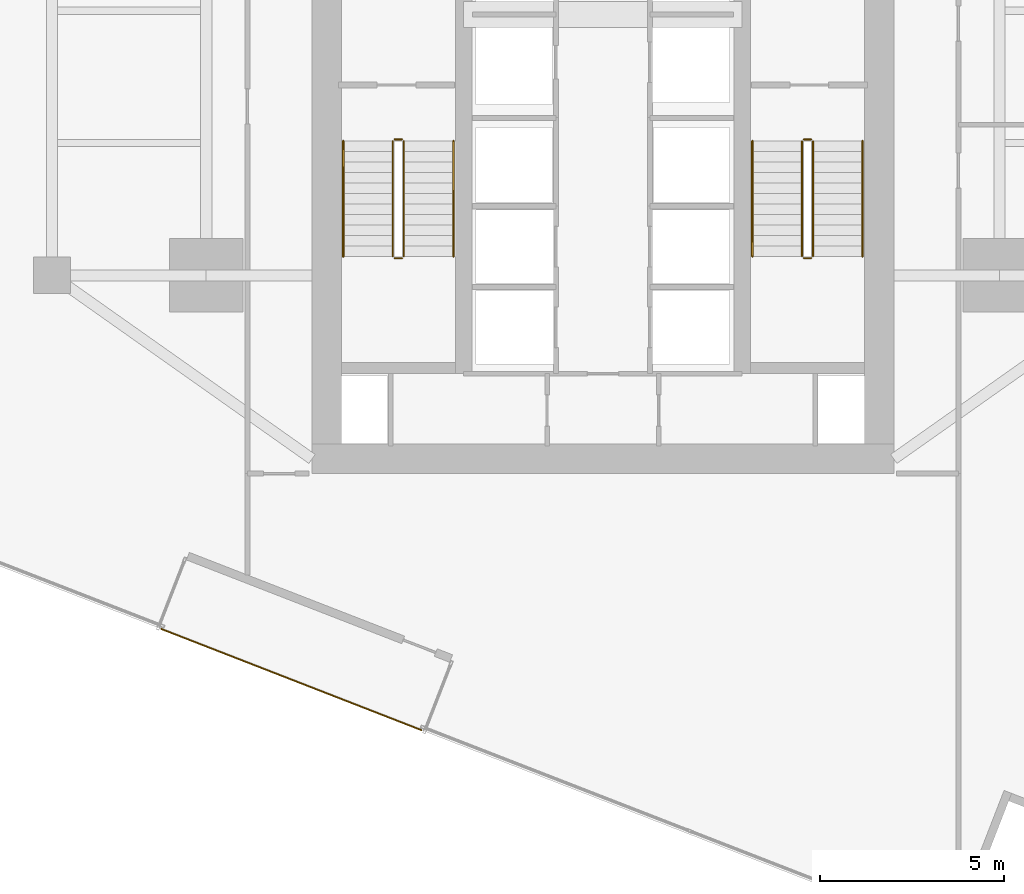
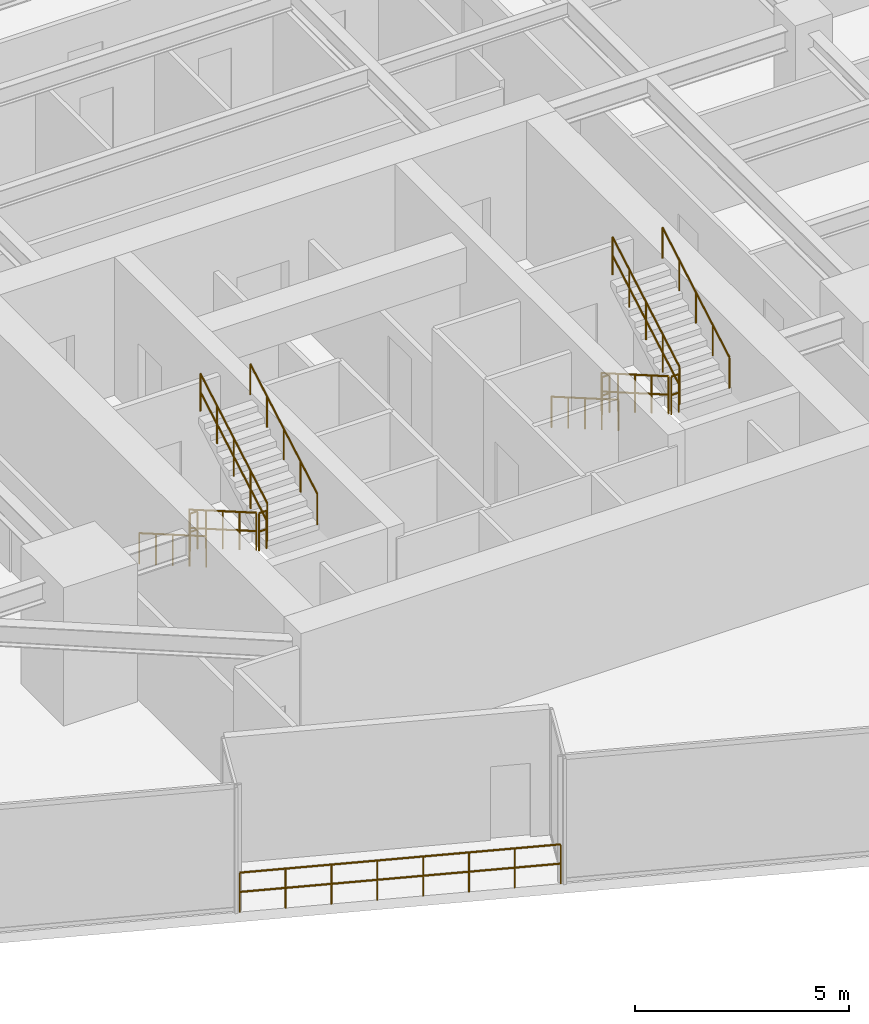
# One storey, part 25 of 26: 13 railings.
"""IFC4 building model written with IfcOpenShell, lengths in metres."""

from ifc_helpers import new_model, si_unit, direction, frame, origin, origin_2d, place, context, subcontext, project, spatial, circle, extrude, material, layer, layer_set, type_object, element, save


model = new_model("IFC4")

# Units and contexts
model_context = context("Model", 3, precision=1e-05, world=origin(), true_north=direction((0.0, 1.0)))
body_context = subcontext(model_context, "Body", "Model", "MODEL_VIEW")
ifc_project = project(units=[si_unit("LENGTHUNIT", "METRE"), si_unit("AREAUNIT", "SQUARE_METRE"), si_unit("VOLUMEUNIT", "CUBIC_METRE"), si_unit("PLANEANGLEUNIT", "RADIAN"), si_unit("MASSUNIT", "GRAM", prefix="KILO")], contexts=[model_context])

# Site, building, storey
site_placement = place(None, origin())
site = spatial("IfcSite", under=ifc_project, at=site_placement, CompositionType="ELEMENT")
building_placement = place(site_placement, origin())
building = spatial("IfcBuilding", under=site, at=building_placement, Name="Krantzveldt Concourse Tower", CompositionType="ELEMENT")
storey_placement = place(building_placement, frame((0.0, 0.0, 137.449951171875)))
storey = spatial("IfcBuildingStorey", under=building, at=storey_placement, Name="L33", CompositionType="ELEMENT", Elevation=137.449951171875)

# Railings
ifc_material = material(Name="Stainless steel 316L", Category="steel")
ifc_layer_1 = layer(ifc_material, 0.080078125, Name="Stainless steel 316L", Category="steel")
ifc_layer_set_1 = layer_set([ifc_layer_1], Name="Stainless steel 316L (RL-BALUSTRADE-1150)")
railing_type_1 = type_object("IfcRailingType", Name="RL-BALUSTRADE-1150", PredefinedType="BALUSTRADE", material=ifc_layer_set_1)
railing_1_placement = place(storey_placement, frame((31.060546875, 3.513671875, 0.0)))
element("IfcRailing", 1, at=railing_1_placement, inside=storey, type_object=railing_type_1, Name="GD-L33-CTER-01", PredefinedType="BALUSTRADE", context=body_context, shape_type="SweptSolid", body=[
    extrude(circle(Radius=0.02392578125, at=origin_2d()), frame((0.0, 0.0, 1.1259765625), z_axis=(-0.932002862961, 0.362450911756, 0.0), x_axis=(-0.362450911756, -0.932002862961, 0.0)), (0.0, 0.0, 1.0), 7.60009765625),
    extrude(circle(Radius=0.02392578125, at=origin_2d()), frame((0.0, 0.0, 0.574951171875), z_axis=(-0.932002862961, 0.362450911756, 0.0), x_axis=(-0.362450911756, -0.932002862961, 0.0)), (0.0, 0.0, 1.0), 7.60009765625),
    extrude(circle(Radius=0.02099609375, at=origin_2d()), origin(), (0.0, 0.0, 1.0), 1.101806640625),
    extrude(circle(Radius=0.02099609375, at=origin_2d()), frame((-1.011962890625, 0.3935546875, 0.0)), (0.0, 0.0, 1.0), 1.101806640625),
    extrude(circle(Radius=0.02099609375, at=origin_2d()), frame((-2.023681640625, 0.787109375, 0.0)), (0.0, 0.0, 1.0), 1.101806640625),
    extrude(circle(Radius=0.02099609375, at=origin_2d()), frame((-3.03564453125, 1.1806640625, 0.0)), (0.0, 0.0, 1.0), 1.101806640625),
    extrude(circle(Radius=0.02099609375, at=origin_2d()), frame((-4.047607421875, 1.573974609375, 0.0)), (0.0, 0.0, 1.0), 1.101806640625),
    extrude(circle(Radius=0.02099609375, at=origin_2d()), frame((-5.0595703125, 1.967529296875, 0.0)), (0.0, 0.0, 1.0), 1.101806640625),
    extrude(circle(Radius=0.02099609375, at=origin_2d()), frame((-6.0712890625, 2.361083984375, 0.0)), (0.0, 0.0, 1.0), 1.101806640625),
    extrude(circle(Radius=0.02099609375, at=origin_2d()), frame((-7.083251953125, 2.754638671875, 0.0)), (0.0, 0.0, 1.0), 1.101806640625),
])
ifc_layer_2 = layer(ifc_material, 0.06005859375, Name="Stainless steel 316L", Category="steel")
ifc_layer_set_2 = layer_set([ifc_layer_2], Name="Stainless steel 316L (RL-GUARD-1120)")
railing_type_2 = type_object("IfcRailingType", Name="RL-GUARD-1120", PredefinedType="GUARDRAIL", material=ifc_layer_set_2)
railing_2_placement = place(storey_placement, frame((30.280029296875, 19.550048828125, 0.16455078125)))
element("IfcRailing", 2, at=railing_2_placement, inside=storey, type_object=railing_type_2, Name="L33 ST-1 stair guard 1", PredefinedType="GUARDRAIL", context=body_context, shape_type="SweptSolid", body=[
    extrude(circle(Radius=0.02392578125, at=origin_2d()), frame((0.0, 0.0, 1.076171875), z_axis=(0.0, -0.865959834175, 0.500113552702), x_axis=(1.0, 0.0, 0.0)), (0.0, 0.0, 1.0), 3.620361328125),
    extrude(circle(Radius=0.02392578125, at=origin_2d()), frame((0.0, 0.0, 0.550048828125), z_axis=(0.0, -0.865959834175, 0.500113552702), x_axis=(1.0, 0.0, 0.0)), (0.0, 0.0, 1.0), 3.620361328125),
    extrude(circle(Radius=0.02099609375, at=origin_2d()), origin(), (0.0, 0.0, 1.0), 1.052001953125),
    extrude(circle(Radius=0.02099609375, at=origin_2d()), frame((0.0, -0.78369140625, 0.45263671875)), (0.0, 0.0, 1.0), 1.052001953125),
    extrude(circle(Radius=0.02099609375, at=origin_2d()), frame((0.0, -1.5673828125, 0.9052734375)), (0.0, 0.0, 1.0), 1.052001953125),
    extrude(circle(Radius=0.02099609375, at=origin_2d()), frame((0.0, -2.351318359375, 1.35791015625)), (0.0, 0.0, 1.0), 1.052001953125),
    extrude(circle(Radius=0.02099609375, at=origin_2d()), frame((0.0, -3.135009765625, 1.810546875)), (0.0, 0.0, 1.0), 1.052001953125),
])
railing_3_placement = place(storey_placement, frame((30.330078125, 16.364990234375, 1.97509765625)))
element("IfcRailing", 3, at=railing_3_placement, inside=storey, type_object=railing_type_2, Name="L33 ST-1 stair guard 2", PredefinedType="GUARDRAIL", context=body_context, shape_type="SweptSolid", body=[
    extrude(circle(Radius=0.02392578125, at=origin_2d()), frame((0.0, 0.0, 1.076171875), z_axis=(1.0, 0.0, 0.0), x_axis=(0.0, 1.0, 0.0)), (0.0, 0.0, 1.0), 0.199951171875),
    extrude(circle(Radius=0.02392578125, at=origin_2d()), frame((0.0, 0.0, 0.550048828125), z_axis=(1.0, 0.0, 0.0), x_axis=(0.0, 1.0, 0.0)), (0.0, 0.0, 1.0), 0.199951171875),
    extrude(circle(Radius=0.02099609375, at=origin_2d()), origin(), (0.0, 0.0, 1.0), 1.052001953125),
    extrude(circle(Radius=0.02099609375, at=origin_2d()), frame((0.199951171875, 0.0, 0.0)), (0.0, 0.0, 1.0), 1.052001953125),
])
railing_4_placement = place(storey_placement, frame((30.580078125, 16.4150390625, 2.1396484375)))
element("IfcRailing", 4, at=railing_4_placement, inside=storey, type_object=railing_type_2, Name="L33 ST-1 stair guard 3", PredefinedType="GUARDRAIL", context=body_context, shape_type="SweptSolid", body=[
    extrude(circle(Radius=0.02392578125, at=origin_2d()), frame((0.0, 0.0, 1.076171875), z_axis=(0.0, 0.865989039225, 0.500062979975), x_axis=(-1.0, 0.0, 0.0)), (0.0, 0.0, 1.0), 3.6201171875),
    extrude(circle(Radius=0.02392578125, at=origin_2d()), frame((0.0, 0.0, 0.550048828125), z_axis=(0.0, 0.865989039225, 0.500062979975), x_axis=(-1.0, 0.0, 0.0)), (0.0, 0.0, 1.0), 3.6201171875),
    extrude(circle(Radius=0.02099609375, at=origin_2d()), origin(), (0.0, 0.0, 1.0), 1.052001953125),
    extrude(circle(Radius=0.02099609375, at=origin_2d()), frame((0.0, 0.78369140625, 0.45263671875)), (0.0, 0.0, 1.0), 1.052001953125),
    extrude(circle(Radius=0.02099609375, at=origin_2d()), frame((0.0, 1.5673828125, 0.9052734375)), (0.0, 0.0, 1.0), 1.052001953125),
    extrude(circle(Radius=0.02099609375, at=origin_2d()), frame((0.0, 2.351318359375, 1.357666015625)), (0.0, 0.0, 1.0), 1.052001953125),
    extrude(circle(Radius=0.02099609375, at=origin_2d()), frame((0.0, 3.135009765625, 1.810302734375)), (0.0, 0.0, 1.0), 1.052001953125),
])
railing_5_placement = place(storey_placement, frame((30.330078125, 19.60009765625, 0.0)))
element("IfcRailing", 5, at=railing_5_placement, inside=storey, type_object=railing_type_2, Name="L33 ST-1 stair guard 4", PredefinedType="GUARDRAIL", context=body_context, shape_type="SweptSolid", body=[
    extrude(circle(Radius=0.02392578125, at=origin_2d()), frame((0.0, 0.0, 1.076171875), z_axis=(1.0, 0.0, 0.0), x_axis=(0.0, 1.0, 0.0)), (0.0, 0.0, 1.0), 0.199951171875),
    extrude(circle(Radius=0.02392578125, at=origin_2d()), frame((0.0, 0.0, 0.550048828125), z_axis=(1.0, 0.0, 0.0), x_axis=(0.0, 1.0, 0.0)), (0.0, 0.0, 1.0), 0.199951171875),
    extrude(circle(Radius=0.02099609375, at=origin_2d()), origin(), (0.0, 0.0, 1.0), 1.052001953125),
    extrude(circle(Radius=0.02099609375, at=origin_2d()), frame((0.199951171875, 0.0, 0.0)), (0.0, 0.0, 1.0), 1.052001953125),
])
railing_6_placement = place(storey_placement, frame((41.419921875, 19.550048828125, 0.16455078125)))
element("IfcRailing", 6, at=railing_6_placement, inside=storey, type_object=railing_type_2, Name="L33 ST-2 stair guard 1", PredefinedType="GUARDRAIL", context=body_context, shape_type="SweptSolid", body=[
    extrude(circle(Radius=0.02392578125, at=origin_2d()), frame((0.0, 0.0, 1.076171875), z_axis=(0.0, -0.865959834175, 0.500113552702), x_axis=(1.0, 0.0, 0.0)), (0.0, 0.0, 1.0), 3.620361328125),
    extrude(circle(Radius=0.02392578125, at=origin_2d()), frame((0.0, 0.0, 0.550048828125), z_axis=(0.0, -0.865959834175, 0.500113552702), x_axis=(1.0, 0.0, 0.0)), (0.0, 0.0, 1.0), 3.620361328125),
    extrude(circle(Radius=0.02099609375, at=origin_2d()), origin(), (0.0, 0.0, 1.0), 1.052001953125),
    extrude(circle(Radius=0.02099609375, at=origin_2d()), frame((0.0, -0.78369140625, 0.45263671875)), (0.0, 0.0, 1.0), 1.052001953125),
    extrude(circle(Radius=0.02099609375, at=origin_2d()), frame((0.0, -1.5673828125, 0.9052734375)), (0.0, 0.0, 1.0), 1.052001953125),
    extrude(circle(Radius=0.02099609375, at=origin_2d()), frame((0.0, -2.351318359375, 1.35791015625)), (0.0, 0.0, 1.0), 1.052001953125),
    extrude(circle(Radius=0.02099609375, at=origin_2d()), frame((0.0, -3.135009765625, 1.810546875)), (0.0, 0.0, 1.0), 1.052001953125),
])
railing_7_placement = place(storey_placement, frame((41.469970703125, 16.364990234375, 1.97509765625)))
element("IfcRailing", 7, at=railing_7_placement, inside=storey, type_object=railing_type_2, Name="L33 ST-2 stair guard 2", PredefinedType="GUARDRAIL", context=body_context, shape_type="SweptSolid", body=[
    extrude(circle(Radius=0.02392578125, at=origin_2d()), frame((0.0, 0.0, 1.076171875), z_axis=(1.0, 0.0, 0.0), x_axis=(0.0, 1.0, 0.0)), (0.0, 0.0, 1.0), 0.199951171875),
    extrude(circle(Radius=0.02392578125, at=origin_2d()), frame((0.0, 0.0, 0.550048828125), z_axis=(1.0, 0.0, 0.0), x_axis=(0.0, 1.0, 0.0)), (0.0, 0.0, 1.0), 0.199951171875),
    extrude(circle(Radius=0.02099609375, at=origin_2d()), origin(), (0.0, 0.0, 1.0), 1.052001953125),
    extrude(circle(Radius=0.02099609375, at=origin_2d()), frame((0.199951171875, 0.0, 0.0)), (0.0, 0.0, 1.0), 1.052001953125),
])
railing_8_placement = place(storey_placement, frame((41.719970703125, 16.4150390625, 2.1396484375)))
element("IfcRailing", 8, at=railing_8_placement, inside=storey, type_object=railing_type_2, Name="L33 ST-2 stair guard 3", PredefinedType="GUARDRAIL", context=body_context, shape_type="SweptSolid", body=[
    extrude(circle(Radius=0.02392578125, at=origin_2d()), frame((0.0, 0.0, 1.076171875), z_axis=(0.0, 0.865989039225, 0.500062979975), x_axis=(-1.0, 0.0, 0.0)), (0.0, 0.0, 1.0), 3.6201171875),
    extrude(circle(Radius=0.02392578125, at=origin_2d()), frame((0.0, 0.0, 0.550048828125), z_axis=(0.0, 0.865989039225, 0.500062979975), x_axis=(-1.0, 0.0, 0.0)), (0.0, 0.0, 1.0), 3.6201171875),
    extrude(circle(Radius=0.02099609375, at=origin_2d()), origin(), (0.0, 0.0, 1.0), 1.052001953125),
    extrude(circle(Radius=0.02099609375, at=origin_2d()), frame((0.0, 0.78369140625, 0.45263671875)), (0.0, 0.0, 1.0), 1.052001953125),
    extrude(circle(Radius=0.02099609375, at=origin_2d()), frame((0.0, 1.5673828125, 0.9052734375)), (0.0, 0.0, 1.0), 1.052001953125),
    extrude(circle(Radius=0.02099609375, at=origin_2d()), frame((0.0, 2.351318359375, 1.357666015625)), (0.0, 0.0, 1.0), 1.052001953125),
    extrude(circle(Radius=0.02099609375, at=origin_2d()), frame((0.0, 3.135009765625, 1.810302734375)), (0.0, 0.0, 1.0), 1.052001953125),
])
railing_9_placement = place(storey_placement, frame((41.469970703125, 19.60009765625, 0.0)))
element("IfcRailing", 9, at=railing_9_placement, inside=storey, type_object=railing_type_2, Name="L33 ST-2 stair guard 4", PredefinedType="GUARDRAIL", context=body_context, shape_type="SweptSolid", body=[
    extrude(circle(Radius=0.02392578125, at=origin_2d()), frame((0.0, 0.0, 1.076171875), z_axis=(1.0, 0.0, 0.0), x_axis=(0.0, 1.0, 0.0)), (0.0, 0.0, 1.0), 0.199951171875),
    extrude(circle(Radius=0.02392578125, at=origin_2d()), frame((0.0, 0.0, 0.550048828125), z_axis=(1.0, 0.0, 0.0), x_axis=(0.0, 1.0, 0.0)), (0.0, 0.0, 1.0), 0.199951171875),
    extrude(circle(Radius=0.02099609375, at=origin_2d()), origin(), (0.0, 0.0, 1.0), 1.052001953125),
    extrude(circle(Radius=0.02099609375, at=origin_2d()), frame((0.199951171875, 0.0, 0.0)), (0.0, 0.0, 1.0), 1.052001953125),
])
ifc_layer_3 = layer(ifc_material, 0.050048828125, Name="Stainless steel 316L", Category="steel")
ifc_layer_set_3 = layer_set([ifc_layer_3], Name="Stainless steel 316L (RL-HANDRAIL-920)")
railing_type_3 = type_object("IfcRailingType", Name="RL-HANDRAIL-920", PredefinedType="HANDRAIL", material=ifc_layer_set_3)
railing_10_placement = place(storey_placement, frame((28.929931640625, 19.550048828125, 0.16455078125)))
element("IfcRailing", 10, at=railing_10_placement, inside=storey, type_object=railing_type_3, Name="L33 ST-1 stair handrail 1", PredefinedType="HANDRAIL", context=body_context, shape_type="SweptSolid", body=[
    extrude(circle(Radius=0.02392578125, at=origin_2d()), frame((0.0, 0.0, 0.8759765625), z_axis=(0.0, -0.865959834175, 0.500113552702), x_axis=(1.0, 0.0, 0.0)), (0.0, 0.0, 1.0), 3.620361328125),
    extrude(circle(Radius=0.02099609375, at=origin_2d()), origin(), (0.0, 0.0, 1.0), 0.851806640625),
    extrude(circle(Radius=0.02099609375, at=origin_2d()), frame((0.0, -0.78369140625, 0.45263671875)), (0.0, 0.0, 1.0), 0.851806640625),
    extrude(circle(Radius=0.02099609375, at=origin_2d()), frame((0.0, -1.5673828125, 0.9052734375)), (0.0, 0.0, 1.0), 0.851806640625),
    extrude(circle(Radius=0.02099609375, at=origin_2d()), frame((0.0, -2.351318359375, 1.35791015625)), (0.0, 0.0, 1.0), 0.851806640625),
    extrude(circle(Radius=0.02099609375, at=origin_2d()), frame((0.0, -3.135009765625, 1.810546875)), (0.0, 0.0, 1.0), 0.851806640625),
])
railing_11_placement = place(storey_placement, frame((31.929931640625, 16.4150390625, 2.1396484375)))
element("IfcRailing", 11, at=railing_11_placement, inside=storey, type_object=railing_type_3, Name="L33 ST-1 stair handrail 2", PredefinedType="HANDRAIL", context=body_context, shape_type="SweptSolid", body=[
    extrude(circle(Radius=0.02392578125, at=origin_2d()), frame((0.0, 0.0, 0.8759765625), z_axis=(0.0, 0.865989039225, 0.500062979975), x_axis=(-1.0, 0.0, 0.0)), (0.0, 0.0, 1.0), 3.6201171875),
    extrude(circle(Radius=0.02099609375, at=origin_2d()), origin(), (0.0, 0.0, 1.0), 0.851806640625),
    extrude(circle(Radius=0.02099609375, at=origin_2d()), frame((0.0, 0.78369140625, 0.45263671875)), (0.0, 0.0, 1.0), 0.851806640625),
    extrude(circle(Radius=0.02099609375, at=origin_2d()), frame((0.0, 1.5673828125, 0.9052734375)), (0.0, 0.0, 1.0), 0.851806640625),
    extrude(circle(Radius=0.02099609375, at=origin_2d()), frame((0.0, 2.351318359375, 1.357666015625)), (0.0, 0.0, 1.0), 0.851806640625),
    extrude(circle(Radius=0.02099609375, at=origin_2d()), frame((0.0, 3.135009765625, 1.810302734375)), (0.0, 0.0, 1.0), 0.851806640625),
])
railing_12_placement = place(storey_placement, frame((40.070068359375, 19.550048828125, 0.16455078125)))
element("IfcRailing", 12, at=railing_12_placement, inside=storey, type_object=railing_type_3, Name="L33 ST-2 stair handrail 1", PredefinedType="HANDRAIL", context=body_context, shape_type="SweptSolid", body=[
    extrude(circle(Radius=0.02392578125, at=origin_2d()), frame((0.0, 0.0, 0.8759765625), z_axis=(0.0, -0.865959834175, 0.500113552702), x_axis=(1.0, 0.0, 0.0)), (0.0, 0.0, 1.0), 3.620361328125),
    extrude(circle(Radius=0.02099609375, at=origin_2d()), origin(), (0.0, 0.0, 1.0), 0.851806640625),
    extrude(circle(Radius=0.02099609375, at=origin_2d()), frame((0.0, -0.78369140625, 0.45263671875)), (0.0, 0.0, 1.0), 0.851806640625),
    extrude(circle(Radius=0.02099609375, at=origin_2d()), frame((0.0, -1.5673828125, 0.9052734375)), (0.0, 0.0, 1.0), 0.851806640625),
    extrude(circle(Radius=0.02099609375, at=origin_2d()), frame((0.0, -2.351318359375, 1.35791015625)), (0.0, 0.0, 1.0), 0.851806640625),
    extrude(circle(Radius=0.02099609375, at=origin_2d()), frame((0.0, -3.135009765625, 1.810546875)), (0.0, 0.0, 1.0), 0.851806640625),
])
railing_13_placement = place(storey_placement, frame((43.070068359375, 16.4150390625, 2.1396484375)))
element("IfcRailing", 13, at=railing_13_placement, inside=storey, type_object=railing_type_3, Name="L33 ST-2 stair handrail 2", PredefinedType="HANDRAIL", context=body_context, shape_type="SweptSolid", body=[
    extrude(circle(Radius=0.02392578125, at=origin_2d()), frame((0.0, 0.0, 0.8759765625), z_axis=(0.0, 0.865989039225, 0.500062979975), x_axis=(-1.0, 0.0, 0.0)), (0.0, 0.0, 1.0), 3.6201171875),
    extrude(circle(Radius=0.02099609375, at=origin_2d()), origin(), (0.0, 0.0, 1.0), 0.851806640625),
    extrude(circle(Radius=0.02099609375, at=origin_2d()), frame((0.0, 0.78369140625, 0.45263671875)), (0.0, 0.0, 1.0), 0.851806640625),
    extrude(circle(Radius=0.02099609375, at=origin_2d()), frame((0.0, 1.5673828125, 0.9052734375)), (0.0, 0.0, 1.0), 0.851806640625),
    extrude(circle(Radius=0.02099609375, at=origin_2d()), frame((0.0, 2.351318359375, 1.357666015625)), (0.0, 0.0, 1.0), 0.851806640625),
    extrude(circle(Radius=0.02099609375, at=origin_2d()), frame((0.0, 3.135009765625, 1.810302734375)), (0.0, 0.0, 1.0), 0.851806640625),
])

save(model, "model.ifc")
